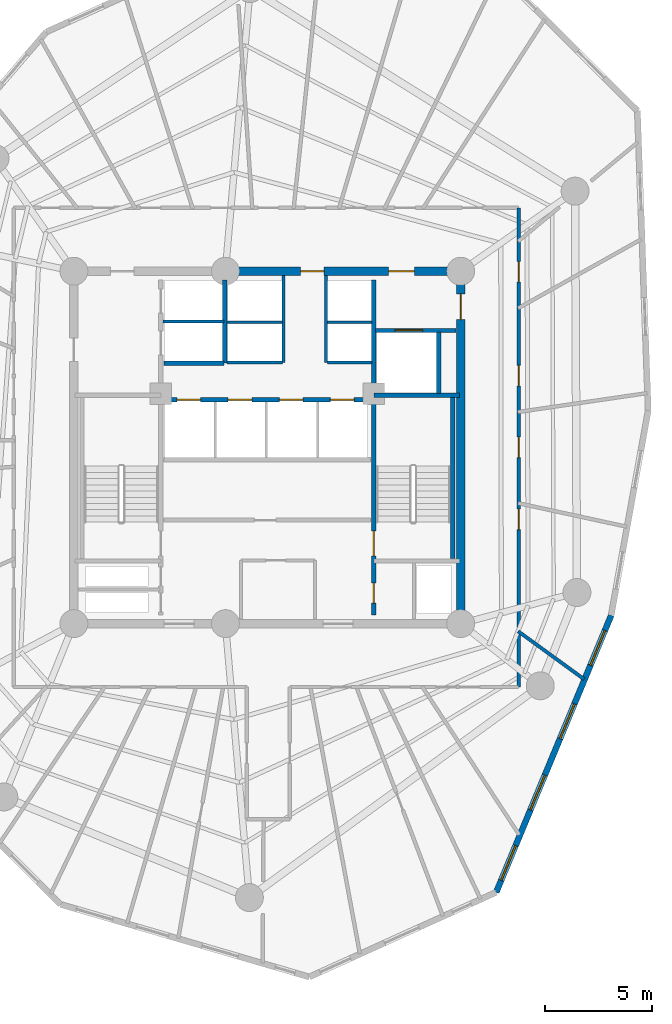
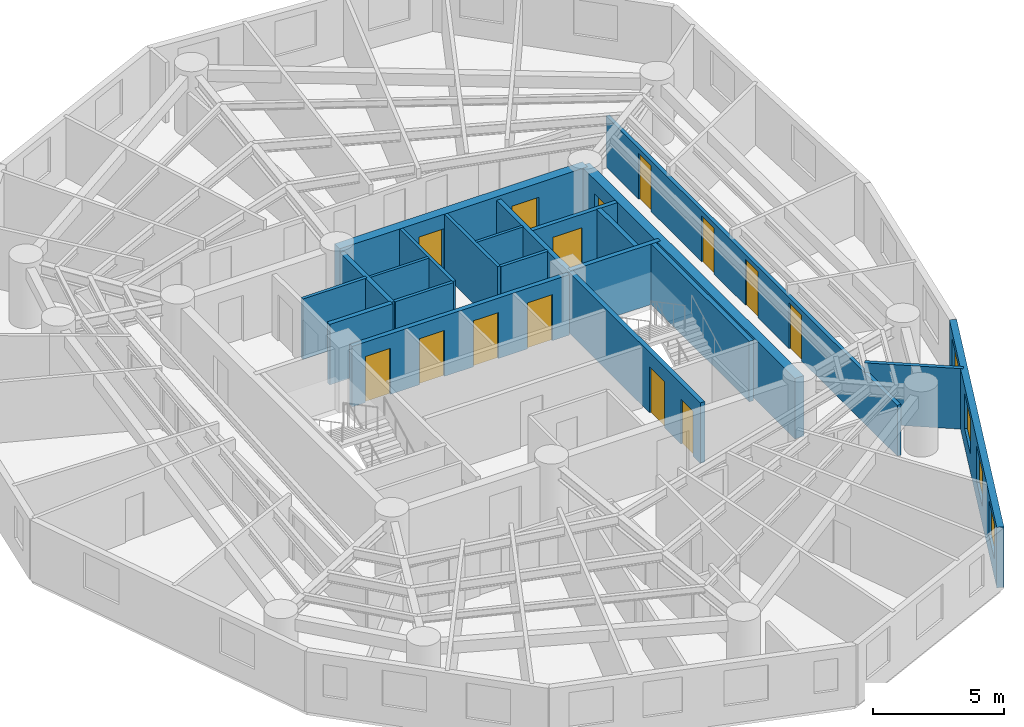
# One storey, part 5 of 8: 20 walls, 14 doors, 4 windows, 18 openings.
"""IFC4 building model written with IfcOpenShell, lengths in metres."""

from ifc_helpers import new_model, si_unit, direction, frame, frame_2d, origin, origin_with_axes, place, context, subcontext, project, spatial, rectangle, extrude, source, transform, mapped, material, layer, layer_set, type_object, element, fill, save


model = new_model("IFC4")

# Units and contexts
model_context = context("Model", 3, precision=1e-05, world=origin(), true_north=direction((0.0, 1.0)))
body_context = subcontext(model_context, "Body", "Model", "MODEL_VIEW")
ifc_project = project(units=[si_unit("LENGTHUNIT", "METRE"), si_unit("AREAUNIT", "SQUARE_METRE"), si_unit("VOLUMEUNIT", "CUBIC_METRE"), si_unit("PLANEANGLEUNIT", "RADIAN"), si_unit("MASSUNIT", "GRAM", prefix="KILO")], contexts=[model_context])

# Site, building, storey
site_placement = place(None, origin())
site = spatial("IfcSite", under=ifc_project, at=site_placement, CompositionType="ELEMENT")
building_placement = place(site_placement, origin())
building = spatial("IfcBuilding", under=site, at=building_placement, Name="Karkom Vertical University and Central Library", CompositionType="ELEMENT")
storey_placement = place(building_placement, frame((0.0, 0.0, 162.64990234375)))
storey = spatial("IfcBuildingStorey", under=building, at=storey_placement, Name="L46", CompositionType="ELEMENT", Elevation=162.64990234375)

# Wall, openings, windows
ifc_material_1 = material(Name="Brick-faced precast concrete C45/55", Category="masonry")
ifc_layer_1 = layer(ifc_material_1, 0.280029296875)
ifc_layer_set_1 = layer_set([ifc_layer_1], Name="Brick-faced precast concrete C45/55")
wall_type_1 = type_object("IfcWallType", Name="ENV-WL-BRK-280", PredefinedType="SOLIDWALL", material=ifc_layer_set_1)
wall_1_placement = place(storey_placement, frame((39.154541015625, 5.79248046875, 0.0), z_axis=(0.0, 0.0, 1.0), x_axis=(0.383396812416, 0.92358371804, 0.0)))
wall_1 = element("IfcWall", 1, at=wall_1_placement, inside=storey, type_object=wall_type_1, Name="Level 46 Brick-Faced Precast Facade Wall 06", PredefinedType="SOLIDWALL", context=body_context, shape_type="SweptSolid", body=[
    extrude(rectangle(XDim=13.95947265625, YDim=0.280029296875, at=frame_2d((6.979736328125, 0.0))), origin(), (0.0, 0.0, 1.0), 2.8251953125),
])
opening_1_placement = place(wall_1_placement, frame((0.60595703125, 0.0, 0.85009765625)))
opening_1 = element("IfcOpeningElement", 2, at=opening_1_placement, cuts=wall_1, Name="Opening WN-08", PredefinedType="OPENING", context=body_context, shape_type="SweptSolid", body=[
    extrude(rectangle(XDim=1.75, YDim=1.64990234375, at=frame_2d((0.875, 0.824951171875))), frame((0.0, 0.14990234375, 0.0), z_axis=(0.0, -1.0, 0.0), x_axis=(1.0, 0.0, 0.0)), (0.0, 0.0, 1.0), 0.300048828125),
])
opening_2_placement = place(wall_1_placement, frame((4.146240234375, 0.0, 0.85009765625)))
opening_2 = element("IfcOpeningElement", 3, at=opening_2_placement, cuts=wall_1, Name="Opening WN-08", PredefinedType="OPENING", context=body_context, shape_type="SweptSolid", body=[
    extrude(rectangle(XDim=1.75, YDim=1.64990234375, at=frame_2d((0.875, 0.824951171875))), frame((0.0, 0.14990234375, 0.0), z_axis=(0.0, -1.0, 0.0), x_axis=(1.0, 0.0, 0.0)), (0.0, 0.0, 1.0), 0.300048828125),
])
opening_3_placement = place(wall_1_placement, frame((7.744873046875, 0.0, 0.85009765625)))
opening_3 = element("IfcOpeningElement", 4, at=opening_3_placement, cuts=wall_1, Name="Opening WN-08", PredefinedType="OPENING", context=body_context, shape_type="SweptSolid", body=[
    extrude(rectangle(XDim=1.75, YDim=1.64990234375, at=frame_2d((0.875, 0.824951171875))), frame((0.0, 0.14990234375, 0.0), z_axis=(0.0, -1.0, 0.0), x_axis=(1.0, 0.0, 0.0)), (0.0, 0.0, 1.0), 0.300048828125),
])
opening_4_placement = place(wall_1_placement, frame((11.4443359375, 0.0, 0.85009765625)))
opening_4 = element("IfcOpeningElement", 5, at=opening_4_placement, cuts=wall_1, Name="Opening WN-08", PredefinedType="OPENING", context=body_context, shape_type="SweptSolid", body=[
    extrude(rectangle(XDim=1.75, YDim=1.64990234375, at=frame_2d((0.875, 0.824951171875))), frame((0.0, 0.14990234375, 0.0), z_axis=(0.0, -1.0, 0.0), x_axis=(1.0, 0.0, 0.0)), (0.0, 0.0, 1.0), 0.300048828125),
])
ifc_material_2 = material(Name="Aluminium thermal-break frame with solar-control IGU", Category="aluminium")
window_type = type_object("IfcWindowType", Name="ENV-WIN-WN-08", PartitioningType="SINGLE_PANEL", PredefinedType="WINDOW", material=ifc_material_2)
shared_shape_1 = source(origin_with_axes(), body_context, "Body", "SweptSolid", [
    extrude(rectangle(XDim=1.75, YDim=1.64990234375, at=frame_2d((0.875, 0.824951171875))), frame((0.0, 0.030029296875, 0.0), z_axis=(0.0, -1.0, 0.0), x_axis=(1.0, 0.0, 0.0)), (0.0, 0.0, 1.0), 0.06005859375),
])
window_1_placement = place(opening_1_placement, origin())
window_1 = element("IfcWindow", 6, at=window_1_placement, inside=storey, type_object=window_type, Name="Level 46 Punched Window 6.1", OverallHeight=1.64990234375, OverallWidth=1.75, PartitioningType="SINGLE_PANEL", PredefinedType="WINDOW", context=body_context, shape_type="MappedRepresentation", body=[
    mapped(shared_shape_1, transform((0.0, 0.0, 0.0), scale=1.0)),
])
fill(opening_1, window_1)
window_2_placement = place(opening_2_placement, origin())
window_2 = element("IfcWindow", 7, at=window_2_placement, inside=storey, type_object=window_type, Name="Level 46 Punched Window 6.2", OverallHeight=1.64990234375, OverallWidth=1.75, PartitioningType="SINGLE_PANEL", PredefinedType="WINDOW", context=body_context, shape_type="MappedRepresentation", body=[
    mapped(shared_shape_1, transform((0.0, 0.0, 0.0), scale=1.0)),
])
fill(opening_2, window_2)
window_3_placement = place(opening_3_placement, origin())
window_3 = element("IfcWindow", 8, at=window_3_placement, inside=storey, type_object=window_type, Name="Level 46 Punched Window 6.3", OverallHeight=1.64990234375, OverallWidth=1.75, PartitioningType="SINGLE_PANEL", PredefinedType="WINDOW", context=body_context, shape_type="MappedRepresentation", body=[
    mapped(shared_shape_1, transform((0.0, 0.0, 0.0), scale=1.0)),
])
fill(opening_3, window_3)
window_4_placement = place(opening_4_placement, origin())
window_4 = element("IfcWindow", 9, at=window_4_placement, inside=storey, type_object=window_type, Name="Level 46 Punched Window 6.4", OverallHeight=1.64990234375, OverallWidth=1.75, PartitioningType="SINGLE_PANEL", PredefinedType="WINDOW", context=body_context, shape_type="MappedRepresentation", body=[
    mapped(shared_shape_1, transform((0.0, 0.0, 0.0), scale=1.0)),
])
fill(opening_4, window_4)

# Wall, openings, doors
ifc_material_3 = material(Name="Insulated metal-stud drywall 160mm", Category="gypsum")
ifc_layer_2 = layer(ifc_material_3, 0.159912109375)
ifc_layer_set_2 = layer_set([ifc_layer_2], Name="Insulated metal-stud drywall 160mm")
wall_type_2 = type_object("IfcWallType", Name="INT-WL-COR-160", PredefinedType="PARTITIONING", material=ifc_layer_set_2)
wall_2_placement = place(storey_placement, frame((40.199951171875, 37.64990234375, 0.0), z_axis=(0.0, 0.0, 1.0), x_axis=(0.0, -1.0, 0.0)))
wall_2 = element("IfcWall", 10, at=wall_2_placement, inside=storey, type_object=wall_type_2, Name="Level 46 Interior Partition Wall L46-CORW-CW-004", PredefinedType="PARTITIONING", context=body_context, shape_type="SweptSolid", body=[
    extrude(rectangle(XDim=22.2998046875, YDim=0.159912109375, at=frame_2d((11.14990234375, 0.0))), origin(), (0.0, 0.0, 1.0), 2.375),
])
opening_5_placement = place(wall_2_placement, frame((14.02001953125, 0.0, 0.0)))
opening_5 = element("IfcOpeningElement", 11, at=opening_5_placement, cuts=wall_2, Name="Opening D-RM1", PredefinedType="OPENING", context=body_context, shape_type="SweptSolid", body=[
    extrude(rectangle(XDim=0.949951171875, YDim=2.14990234375, at=frame_2d((0.47509765625, 1.074951171875))), frame((0.0, 0.08984375, 0.0), z_axis=(0.0, -1.0, 0.0), x_axis=(1.0, 0.0, 0.0)), (0.0, 0.0, 1.0), 0.179931640625),
])
opening_6_placement = place(wall_2_placement, frame((10.675048828125, 0.0, 0.0)))
opening_6 = element("IfcOpeningElement", 12, at=opening_6_placement, cuts=wall_2, Name="Opening D-RM1", PredefinedType="OPENING", context=body_context, shape_type="SweptSolid", body=[
    extrude(rectangle(XDim=0.949951171875, YDim=2.14990234375, at=frame_2d((0.47509765625, 1.074951171875))), frame((0.0, 0.08984375, 0.0), z_axis=(0.0, -1.0, 0.0), x_axis=(1.0, 0.0, 0.0)), (0.0, 0.0, 1.0), 0.179931640625),
])
opening_7_placement = place(wall_2_placement, frame((7.330078125, 0.0, 0.0)))
opening_7 = element("IfcOpeningElement", 13, at=opening_7_placement, cuts=wall_2, Name="Opening D-RM1", PredefinedType="OPENING", context=body_context, shape_type="SweptSolid", body=[
    extrude(rectangle(XDim=0.949951171875, YDim=2.14990234375, at=frame_2d((0.47509765625, 1.074951171875))), frame((0.0, 0.08984375, 0.0), z_axis=(0.0, -1.0, 0.0), x_axis=(1.0, 0.0, 0.0)), (0.0, 0.0, 1.0), 0.179931640625),
])
opening_8_placement = place(wall_2_placement, frame((2.500244140625, 0.0, 0.0)))
opening_8 = element("IfcOpeningElement", 14, at=opening_8_placement, cuts=wall_2, Name="Opening D-RM1", PredefinedType="OPENING", context=body_context, shape_type="SweptSolid", body=[
    extrude(rectangle(XDim=0.949951171875, YDim=2.14990234375, at=frame_2d((0.47509765625, 1.074951171875))), frame((0.0, 0.08984375, 0.0), z_axis=(0.0, -1.0, 0.0), x_axis=(1.0, 0.0, 0.0)), (0.0, 0.0, 1.0), 0.179931640625),
])
ifc_material_4 = material(Name="Solid-core oak veneer door", Category="wood")
door_type_1 = type_object("IfcDoorType", Name="INT-DR-RM1", OperationType="NOTDEFINED", PredefinedType="DOOR", material=ifc_material_4)
shared_shape_2 = source(origin_with_axes(), body_context, "Body", "SweptSolid", [
    extrude(rectangle(XDim=0.949951171875, YDim=2.14990234375, at=frame_2d((0.47509765625, 1.074951171875))), frame((0.0, 0.02490234375, 0.0), z_axis=(0.0, -1.0, 0.0), x_axis=(1.0, 0.0, 0.0)), (0.0, 0.0, 1.0), 0.050048828125),
])
door_1_placement = place(opening_5_placement, origin())
door_1 = element("IfcDoor", 15, at=door_1_placement, inside=storey, type_object=door_type_1, Name="Level 46 Room Entry Door 130", OperationType="SINGLE_SWING_LEFT", OverallHeight=2.14990234375, OverallWidth=0.949951171875, PredefinedType="DOOR", context=body_context, shape_type="MappedRepresentation", body=[
    mapped(shared_shape_2, transform((0.0, 0.0, 0.0), scale=1.0)),
])
fill(opening_5, door_1)
door_2_placement = place(opening_6_placement, origin())
door_2 = element("IfcDoor", 16, at=door_2_placement, inside=storey, type_object=door_type_1, Name="Level 46 Room Entry Door 140", OperationType="SINGLE_SWING_RIGHT", OverallHeight=2.14990234375, OverallWidth=0.949951171875, PredefinedType="DOOR", context=body_context, shape_type="MappedRepresentation", body=[
    mapped(shared_shape_2, transform((0.0, 0.0, 0.0), scale=1.0)),
])
fill(opening_6, door_2)
door_3_placement = place(opening_7_placement, origin())
door_3 = element("IfcDoor", 17, at=door_3_placement, inside=storey, type_object=door_type_1, Name="Level 46 Room Entry Door 150", OperationType="SINGLE_SWING_LEFT", OverallHeight=2.14990234375, OverallWidth=0.949951171875, PredefinedType="DOOR", context=body_context, shape_type="MappedRepresentation", body=[
    mapped(shared_shape_2, transform((0.0, 0.0, 0.0), scale=1.0)),
])
fill(opening_7, door_3)
door_4_placement = place(opening_8_placement, origin())
door_4 = element("IfcDoor", 18, at=door_4_placement, inside=storey, type_object=door_type_1, Name="Level 46 Room Entry Door 160", OperationType="SINGLE_SWING_RIGHT", OverallHeight=2.14990234375, OverallWidth=0.949951171875, PredefinedType="DOOR", context=body_context, shape_type="MappedRepresentation", body=[
    mapped(shared_shape_2, transform((0.0, 0.0, 0.0), scale=1.0)),
])
fill(opening_8, door_4)

# Walls
wall_3_placement = place(storey_placement, frame((40.17578125, 17.94287109375, 0.0), z_axis=(0.0, 0.0, 1.0), x_axis=(0.809022702955, -0.587777395026, 0.0)))
element("IfcWall", 19, at=wall_3_placement, inside=storey, type_object=wall_type_2, Name="Level 46 Interior Partition Wall L46-PW-015", PredefinedType="PARTITIONING", context=body_context, shape_type="SweptSolid", body=[
    extrude(rectangle(XDim=3.792724609375, YDim=0.159912109375, at=frame_2d((1.896484375, 0.0))), origin(), (0.0, 0.0, 1.0), 2.8251953125),
])
ifc_material_5 = material(Name="Moisture-resistant drywall 120mm", Category="gypsum")
ifc_layer_3 = layer(ifc_material_5, 0.1201171875)
ifc_layer_set_3 = layer_set([ifc_layer_3], Name="Moisture-resistant drywall 120mm")
wall_type_3 = type_object("IfcWallType", Name="INT-WL-INT-120H", PredefinedType="PARTITIONING", material=ifc_layer_set_3)
wall_4_placement = place(storey_placement, frame((26.6201171875, 32.320068359375, 0.0), z_axis=(0.0, 0.0, 1.0), x_axis=(1.0, 0.0, 0.0)))
element("IfcWall", 20, at=wall_4_placement, inside=storey, type_object=wall_type_3, Name="Level 46 Interior Partition Wall L46-CW-PH-MW", PredefinedType="PARTITIONING", context=body_context, shape_type="SweptSolid", body=[
    extrude(rectangle(XDim=2.579833984375, YDim=0.1201171875, at=frame_2d((1.2900390625, 0.0))), origin(), (0.0, 0.0, 1.0), 2.8251953125),
])
wall_5_placement = place(storey_placement, frame((31.300048828125, 32.320068359375, 0.0), z_axis=(0.0, 0.0, 1.0), x_axis=(1.0, 0.0, 0.0)))
element("IfcWall", 21, at=wall_5_placement, inside=storey, type_object=wall_type_3, Name="Level 46 Interior Partition Wall L46-CW-PH-ME", PredefinedType="PARTITIONING", context=body_context, shape_type="SweptSolid", body=[
    extrude(rectangle(XDim=2.074951171875, YDim=0.1201171875, at=frame_2d((1.03759765625, 0.0))), origin(), (0.0, 0.0, 1.0), 2.8251953125),
])
ifc_material_6 = material(Name="Metal-stud gypsum partition 140mm", Category="gypsum")
ifc_layer_4 = layer(ifc_material_6, 0.139892578125)
ifc_layer_set_4 = layer_set([ifc_layer_4], Name="Metal-stud gypsum partition 140mm")
wall_type_4 = type_object("IfcWallType", Name="INT-WL-SUB-140H", PredefinedType="PARTITIONING", material=ifc_layer_set_4)
for number, where, z_axis, x_axis, name in (
    (22, (29.260009765625, 30.449951171875, 0.0), (0.0, 0.0, 1.0), (0.0, 1.0, 0.0), "Level 46 Interior Partition Wall L46-CW-PH-W"),
    (23, (31.239990234375, 30.449951171875, 0.0), (0.0, 0.0, 1.0), (0.0, 1.0, 0.0), "Level 46 Interior Partition Wall L46-CW-PH-E"),
):
    element("IfcWall", number, at=place(storey_placement, frame(where, z_axis=z_axis, x_axis=x_axis)), inside=storey, type_object=wall_type_4, Name=name, PredefinedType="PARTITIONING", context=body_context, shape_type="SweptSolid", body=[
        extrude(rectangle(XDim=4.04296875, YDim=0.139892578125, at=frame_2d((2.021484375, 0.0))), origin(), (0.0, 0.0, 1.0), 2.8251953125),
    ])
wall_6_placement = place(storey_placement, frame((26.6201171875, 30.449951171875, 0.0), z_axis=(0.0, 0.0, 1.0), x_axis=(1.0, 0.0, 0.0)))
element("IfcWall", 24, at=wall_6_placement, inside=storey, type_object=wall_type_4, Name="Level 46 Interior Partition Wall L46-CW-PH-S1", PredefinedType="PARTITIONING", context=body_context, shape_type="SweptSolid", body=[
    extrude(rectangle(XDim=2.579833984375, YDim=0.139892578125, at=frame_2d((1.2900390625, 0.0))), origin(), (0.0, 0.0, 1.0), 2.8251953125),
])
wall_7_placement = place(storey_placement, frame((31.300048828125, 30.449951171875, 0.0), z_axis=(0.0, 0.0, 1.0), x_axis=(1.0, 0.0, 0.0)))
element("IfcWall", 25, at=wall_7_placement, inside=storey, type_object=wall_type_4, Name="Level 46 Interior Partition Wall L46-CW-PH-S2", PredefinedType="PARTITIONING", context=body_context, shape_type="SweptSolid", body=[
    extrude(rectangle(XDim=2.074951171875, YDim=0.139892578125, at=frame_2d((1.03759765625, 0.0))), origin(), (0.0, 0.0, 1.0), 2.8251953125),
])
ifc_layer_5 = layer(ifc_material_6, 0.139892578125)
ifc_layer_set_5 = layer_set([ifc_layer_5], Name="Metal-stud gypsum partition 140mm")
wall_type_5 = type_object("IfcWallType", Name="INT-WL-SUB-140X", PredefinedType="PARTITIONING", material=ifc_layer_set_5)
wall_8_placement = place(storey_placement, frame((23.652099609375, 32.3701171875, 0.0), z_axis=(0.0, 0.0, 1.0), x_axis=(1.0, 0.0, 0.0)))
element("IfcWall", 26, at=wall_8_placement, inside=storey, type_object=wall_type_5, Name="Level 46 Interior Partition Wall L46-CW-FFL-M", PredefinedType="PARTITIONING", context=body_context, shape_type="SweptSolid", body=[
    extrude(rectangle(XDim=2.827880859375, YDim=0.139892578125, at=frame_2d((1.4140625, 0.0))), origin(), (0.0, 0.0, 1.0), 2.8251953125),
])

# Wall, opening, door
ifc_material_7 = material(Name="Twin-stud acoustic drywall 180mm", Category="gypsum")
ifc_layer_6 = layer(ifc_material_7, 0.179931640625)
ifc_layer_set_6 = layer_set([ifc_layer_6], Name="Twin-stud acoustic drywall 180mm")
wall_type_6 = type_object("IfcWallType", Name="INT-WL-TEN-180F", PredefinedType="PARTITIONING", material=ifc_layer_set_6)
wall_9_placement = place(storey_placement, frame((33.534912109375, 31.949951171875, 0.0), z_axis=(0.0, 0.0, 1.0), x_axis=(1.0, 0.0, 0.0)))
wall_9 = element("IfcWall", 27, at=wall_9_placement, inside=storey, type_object=wall_type_6, Name="Level 46 Interior Partition Wall L46-CW-SVL-N", PredefinedType="PARTITIONING", context=body_context, shape_type="SweptSolid", body=[
    extrude(rectangle(XDim=3.7587890625, YDim=0.179931640625, at=frame_2d((1.87939453125, 0.0))), origin(), (0.0, 0.0, 1.0), 2.8251953125),
])
opening_9_placement = place(wall_9_placement, frame((0.89990234375, 0.0, 0.0)))
opening_9 = element("IfcOpeningElement", 28, at=opening_9_placement, cuts=wall_9, Name="Opening LD-SV1", PredefinedType="OPENING", context=body_context, shape_type="SweptSolid", body=[
    extrude(rectangle(XDim=1.300048828125, YDim=2.199951171875, at=frame_2d((0.64990234375, 1.10009765625))), frame((0.0, 0.10009765625, 0.0), z_axis=(0.0, -1.0, 0.0), x_axis=(1.0, 0.0, 0.0)), (0.0, 0.0, 1.0), 0.199951171875),
])
ifc_material_8 = material(Name="Brushed stainless-steel landing door", Category="steel")
door_type_2 = type_object("IfcDoorType", Name="INT-DR-LD-SV1", OperationType="SLIDING_TO_LEFT", PredefinedType="DOOR", material=ifc_material_8)
shared_shape_3 = source(origin_with_axes(), body_context, "Body", "SweptSolid", [
    extrude(rectangle(XDim=1.300048828125, YDim=2.199951171875, at=frame_2d((0.64990234375, 1.10009765625))), frame((0.0, 0.02490234375, 0.0), z_axis=(0.0, -1.0, 0.0), x_axis=(1.0, 0.0, 0.0)), (0.0, 0.0, 1.0), 0.050048828125),
])
door_5_placement = place(opening_9_placement, origin())
door_5 = element("IfcDoor", 29, at=door_5_placement, inside=storey, type_object=door_type_2, Name="Level 46 Service Lift Landing Door LD-SV1", OperationType="SLIDING_TO_LEFT", OverallHeight=2.199951171875, OverallWidth=1.300048828125, PredefinedType="DOOR", context=body_context, shape_type="MappedRepresentation", body=[
    mapped(shared_shape_3, transform((0.0, 0.0, 0.0), scale=1.0)),
])
fill(opening_9, door_5)

ifc_material_9 = material(Name="Concrete C50/60", Category="concrete")
ifc_layer_7 = layer(ifc_material_9, 0.39990234375)
ifc_layer_set_7 = layer_set([ifc_layer_7], Name="Concrete C50/60")
wall_type_7 = type_object("IfcWallType", Name="STR-WL-CW-400", PredefinedType="SHEAR", material=ifc_layer_set_7)
wall_10_placement = place(storey_placement, frame((37.5, 18.300048828125, 0.0), z_axis=(0.0, 0.0, 1.0), x_axis=(0.0, 1.0, 0.0)))
wall_10 = element("IfcWall", 30, at=wall_10_placement, inside=storey, type_object=wall_type_7, Name="Level 46 Central Core Shear Wall EW", PredefinedType="SHEAR", context=body_context, shape_type="SweptSolid", body=[
    extrude(rectangle(XDim=16.39990234375, YDim=0.39990234375, at=frame_2d((8.199951171875, 0.0))), origin(), (0.0, 0.0, 1.0), 2.8251953125),
])
opening_10_placement = place(wall_10_placement, frame((14.14990234375, 0.0, 0.0)))
opening_10 = element("IfcOpeningElement", 31, at=opening_10_placement, cuts=wall_10, Name="Opening FD-SUB1", PredefinedType="OPENING", context=body_context, shape_type="SweptSolid", body=[
    extrude(rectangle(XDim=1.199951171875, YDim=2.14990234375, at=frame_2d((0.60009765625, 1.074951171875))), frame((0.0, 0.2099609375, 0.0), z_axis=(0.0, -1.0, 0.0), x_axis=(1.0, 0.0, 0.0)), (0.0, 0.0, 1.0), 0.419921875),
])
ifc_material_10 = material(Name="Painted steel fire door", Category="steel")
door_type_3 = type_object("IfcDoorType", Name="INT-DR-SUB1", OperationType="NOTDEFINED", PredefinedType="DOOR", material=ifc_material_10)
shared_shape_4 = source(origin_with_axes(), body_context, "Body", "SweptSolid", [
    extrude(rectangle(XDim=1.199951171875, YDim=2.14990234375, at=frame_2d((0.60009765625, 1.074951171875))), frame((0.0, 0.02490234375, 0.0), z_axis=(0.0, -1.0, 0.0), x_axis=(1.0, 0.0, 0.0)), (0.0, 0.0, 1.0), 0.050048828125),
])
door_6_placement = place(opening_10_placement, origin())
door_6 = element("IfcDoor", 32, at=door_6_placement, inside=storey, type_object=door_type_3, Name="Level 46 East Corridor Service Lobby Door", OperationType="SINGLE_SWING_LEFT", OverallHeight=2.14990234375, OverallWidth=1.199951171875, PredefinedType="DOOR", context=body_context, shape_type="MappedRepresentation", body=[
    mapped(shared_shape_4, transform((0.0, 0.0, 0.0), scale=1.0)),
])
fill(opening_10, door_6)

# Wall, openings, doors
wall_11_placement = place(storey_placement, frame((37.5, 34.699951171875, 0.0), z_axis=(0.0, 0.0, 1.0), x_axis=(-1.0, 0.0, 0.0)))
wall_11 = element("IfcWall", 33, at=wall_11_placement, inside=storey, type_object=wall_type_7, Name="Level 46 Central Core Shear Wall NW1", PredefinedType="SHEAR", context=body_context, shape_type="SweptSolid", body=[
    extrude(rectangle(XDim=10.949951171875, YDim=0.39990234375, at=frame_2d((5.47509765625, 0.0))), origin(), (0.0, 0.0, 1.0), 2.8251953125),
])
opening_11_placement = place(wall_11_placement, frame((2.14990234375, 0.0, 0.0)))
opening_11 = element("IfcOpeningElement", 34, at=opening_11_placement, cuts=wall_11, Name="Opening FD-SUB1", PredefinedType="OPENING", context=body_context, shape_type="SweptSolid", body=[
    extrude(rectangle(XDim=1.199951171875, YDim=2.14990234375, at=frame_2d((0.60009765625, 1.074951171875))), frame((0.0, 0.2099609375, 0.0), z_axis=(0.0, -1.0, 0.0), x_axis=(1.0, 0.0, 0.0)), (0.0, 0.0, 1.0), 0.419921875),
])
opening_12_placement = place(wall_11_placement, frame((6.35009765625, 0.0, 0.0)))
opening_12 = element("IfcOpeningElement", 35, at=opening_12_placement, cuts=wall_11, Name="Opening FD-FFL", PredefinedType="OPENING", context=body_context, shape_type="SweptSolid", body=[
    extrude(rectangle(XDim=1.10009765625, YDim=2.14990234375, at=frame_2d((0.550048828125, 1.074951171875))), frame((0.0, 0.2099609375, 0.0), z_axis=(0.0, -1.0, 0.0), x_axis=(1.0, 0.0, 0.0)), (0.0, 0.0, 1.0), 0.419921875),
])
ifc_material_11 = material(Name="Painted steel smoke-seal fire door", Category="steel")
door_type_4 = type_object("IfcDoorType", Name="INT-DR-FFL", OperationType="NOTDEFINED", PredefinedType="DOOR", material=ifc_material_11)
shared_shape_5 = source(origin_with_axes(), body_context, "Body", "SweptSolid", [
    extrude(rectangle(XDim=1.10009765625, YDim=2.14990234375, at=frame_2d((0.550048828125, 1.074951171875))), frame((0.0, 0.02490234375, 0.0), z_axis=(0.0, -1.0, 0.0), x_axis=(1.0, 0.0, 0.0)), (0.0, 0.0, 1.0), 0.050048828125),
])
door_7_placement = place(opening_12_placement, origin())
door_7 = element("IfcDoor", 36, at=door_7_placement, inside=storey, type_object=door_type_4, Name="Level 46 North Core Lobby Exit Door", OperationType="SINGLE_SWING_RIGHT", OverallHeight=2.14990234375, OverallWidth=1.10009765625, PredefinedType="DOOR", context=body_context, shape_type="MappedRepresentation", body=[
    mapped(shared_shape_5, transform((0.0, 0.0, 0.0), scale=1.0)),
])
fill(opening_12, door_7)
door_8_placement = place(opening_11_placement, origin())
door_8 = element("IfcDoor", 37, at=door_8_placement, inside=storey, type_object=door_type_3, Name="Level 46 Service Lobby Fire Door", OperationType="SINGLE_SWING_RIGHT", OverallHeight=2.14990234375, OverallWidth=1.199951171875, PredefinedType="DOOR", context=body_context, shape_type="MappedRepresentation", body=[
    mapped(shared_shape_4, transform((0.0, 0.0, 0.0), scale=1.0)),
])
fill(opening_11, door_8)

ifc_material_12 = material(Name="Concrete C45/55", Category="concrete")
ifc_layer_8 = layer(ifc_material_12, 0.199951171875)
ifc_layer_set_8 = layer_set([ifc_layer_8], Name="Concrete C45/55")
wall_type_8 = type_object("IfcWallType", Name="STR-WL-ST-200", PredefinedType="SHEAR", material=ifc_layer_set_8)
wall_12_placement = place(storey_placement, frame((33.455078125, 18.699951171875, 0.0), z_axis=(0.0, 0.0, 1.0), x_axis=(0.0, 1.0, 0.0)))
wall_12 = element("IfcWall", 38, at=wall_12_placement, inside=storey, type_object=wall_type_8, Name="Level 46 Core Shaft Wall L46-CW-ST2-W", PredefinedType="SHEAR", context=body_context, shape_type="SweptSolid", body=[
    extrude(rectangle(XDim=15.60009765625, YDim=0.199951171875, at=frame_2d((7.800048828125, 0.0))), origin(), (0.0, 0.0, 1.0), 2.8251953125),
])
opening_13_placement = place(wall_12_placement, frame((2.75, 0.0, 0.0)))
opening_13 = element("IfcOpeningElement", 39, at=opening_13_placement, cuts=wall_12, Name="Opening FD-ST1", PredefinedType="OPENING", context=body_context, shape_type="SweptSolid", body=[
    extrude(rectangle(XDim=1.14990234375, YDim=2.14990234375, at=frame_2d((0.574951171875, 1.074951171875))), frame((0.0, 0.10986328125, 0.0), z_axis=(0.0, -1.0, 0.0), x_axis=(1.0, 0.0, 0.0)), (0.0, 0.0, 1.0), 0.219970703125),
])
opening_14_placement = place(wall_12_placement, frame((0.550048828125, 0.0, 0.0)))
opening_14 = element("IfcOpeningElement", 40, at=opening_14_placement, cuts=wall_12, Name="Opening D-WC1", PredefinedType="OPENING", context=body_context, shape_type="SweptSolid", body=[
    extrude(rectangle(XDim=0.93994140625, YDim=2.10009765625, at=frame_2d((0.469970703125, 1.050048828125))), frame((0.0, 0.10986328125, 0.0), z_axis=(0.0, -1.0, 0.0), x_axis=(1.0, 0.0, 0.0)), (0.0, 0.0, 1.0), 0.219970703125),
])
ifc_material_13 = material(Name="Painted steel acoustic fire door", Category="steel")
door_type_5 = type_object("IfcDoorType", Name="INT-DR-ST1", OperationType="NOTDEFINED", PredefinedType="DOOR", material=ifc_material_13)
shared_shape_6 = source(origin_with_axes(), body_context, "Body", "SweptSolid", [
    extrude(rectangle(XDim=1.14990234375, YDim=2.14990234375, at=frame_2d((0.574951171875, 1.074951171875))), frame((0.0, 0.02490234375, 0.0), z_axis=(0.0, -1.0, 0.0), x_axis=(1.0, 0.0, 0.0)), (0.0, 0.0, 1.0), 0.050048828125),
])
door_9_placement = place(opening_13_placement, origin())
door_9 = element("IfcDoor", 41, at=door_9_placement, inside=storey, type_object=door_type_5, Name="Level 46 Stair ST-2 Fire Door", OperationType="SINGLE_SWING_RIGHT", OverallHeight=2.14990234375, OverallWidth=1.14990234375, PredefinedType="DOOR", context=body_context, shape_type="MappedRepresentation", body=[
    mapped(shared_shape_6, transform((0.0, 0.0, 0.0), scale=1.0)),
])
fill(opening_13, door_9)
ifc_material_14 = material(Name="Fire-rated laminate moisture-resistant door", Category="wood")
door_type_6 = type_object("IfcDoorType", Name="INT-DR-WC1", OperationType="NOTDEFINED", PredefinedType="DOOR", material=ifc_material_14)
shared_shape_7 = source(origin_with_axes(), body_context, "Body", "SweptSolid", [
    extrude(rectangle(XDim=0.93994140625, YDim=2.10009765625, at=frame_2d((0.469970703125, 1.050048828125))), frame((0.0, 0.02490234375, 0.0), z_axis=(0.0, -1.0, 0.0), x_axis=(1.0, 0.0, 0.0)), (0.0, 0.0, 1.0), 0.050048828125),
])
door_10_placement = place(opening_14_placement, origin())
door_10 = element("IfcDoor", 42, at=door_10_placement, inside=storey, type_object=door_type_6, Name="Level 46 Accessible WC Door", OperationType="SINGLE_SWING_LEFT", OverallHeight=2.10009765625, OverallWidth=0.93994140625, PredefinedType="DOOR", context=body_context, shape_type="MappedRepresentation", body=[
    mapped(shared_shape_7, transform((0.0, 0.0, 0.0), scale=1.0)),
])
fill(opening_14, door_10)

wall_13_placement = place(storey_placement, frame((23.699951171875, 28.719970703125, 0.0), z_axis=(0.0, 0.0, 1.0), x_axis=(1.0, 0.0, 0.0)))
wall_13 = element("IfcWall", 43, at=wall_13_placement, inside=storey, type_object=wall_type_8, Name="Level 46 Core Shaft Wall L46-CW-B2-N", PredefinedType="SHEAR", context=body_context, shape_type="SweptSolid", body=[
    extrude(rectangle(XDim=9.60009765625, YDim=0.199951171875, at=frame_2d((4.800048828125, 0.0))), origin(), (0.0, 0.0, 1.0), 2.8251953125),
])
opening_15_placement = place(wall_13_placement, frame((0.60009765625, 0.0, 0.0)))
opening_15 = element("IfcOpeningElement", 44, at=opening_15_placement, cuts=wall_13, Name="Opening LD-PAX", PredefinedType="OPENING", context=body_context, shape_type="SweptSolid", body=[
    extrude(rectangle(XDim=1.10009765625, YDim=2.14990234375, at=frame_2d((0.550048828125, 1.074951171875))), frame((0.0, 0.10986328125, 0.0), z_axis=(0.0, -1.0, 0.0), x_axis=(1.0, 0.0, 0.0)), (0.0, 0.0, 1.0), 0.219970703125),
])
opening_16_placement = place(wall_13_placement, frame((2.97998046875, 0.0, 0.0)))
opening_16 = element("IfcOpeningElement", 45, at=opening_16_placement, cuts=wall_13, Name="Opening LD-PAX", PredefinedType="OPENING", context=body_context, shape_type="SweptSolid", body=[
    extrude(rectangle(XDim=1.10009765625, YDim=2.14990234375, at=frame_2d((0.550048828125, 1.074951171875))), frame((0.0, 0.10986328125, 0.0), z_axis=(0.0, -1.0, 0.0), x_axis=(1.0, 0.0, 0.0)), (0.0, 0.0, 1.0), 0.219970703125),
])
opening_17_placement = place(wall_13_placement, frame((5.360107421875, 0.0, 0.0)))
opening_17 = element("IfcOpeningElement", 46, at=opening_17_placement, cuts=wall_13, Name="Opening LD-PAX", PredefinedType="OPENING", context=body_context, shape_type="SweptSolid", body=[
    extrude(rectangle(XDim=1.10009765625, YDim=2.14990234375, at=frame_2d((0.550048828125, 1.074951171875))), frame((0.0, 0.10986328125, 0.0), z_axis=(0.0, -1.0, 0.0), x_axis=(1.0, 0.0, 0.0)), (0.0, 0.0, 1.0), 0.219970703125),
])
opening_18_placement = place(wall_13_placement, frame((7.739990234375, 0.0, 0.0)))
opening_18 = element("IfcOpeningElement", 47, at=opening_18_placement, cuts=wall_13, Name="Opening LD-PAX", PredefinedType="OPENING", context=body_context, shape_type="SweptSolid", body=[
    extrude(rectangle(XDim=1.10009765625, YDim=2.14990234375, at=frame_2d((0.550048828125, 1.074951171875))), frame((0.0, 0.10986328125, 0.0), z_axis=(0.0, -1.0, 0.0), x_axis=(1.0, 0.0, 0.0)), (0.0, 0.0, 1.0), 0.219970703125),
])
door_type_7 = type_object("IfcDoorType", Name="INT-DR-LD-PAX", OperationType="SLIDING_TO_LEFT", PredefinedType="DOOR", material=ifc_material_8)
door_11_placement = place(opening_15_placement, origin())
door_11 = element("IfcDoor", 48, at=door_11_placement, inside=storey, type_object=door_type_7, Name="Level 46 Lift PM-1 Landing Door", OperationType="SLIDING_TO_LEFT", OverallHeight=2.14990234375, OverallWidth=1.10009765625, PredefinedType="DOOR", context=body_context, shape_type="MappedRepresentation", body=[
    mapped(shared_shape_5, transform((0.0, 0.0, 0.0), scale=1.0)),
])
fill(opening_15, door_11)
door_12_placement = place(opening_16_placement, origin())
door_12 = element("IfcDoor", 49, at=door_12_placement, inside=storey, type_object=door_type_7, Name="Level 46 Lift PM-2 Landing Door", OperationType="SLIDING_TO_RIGHT", OverallHeight=2.14990234375, OverallWidth=1.10009765625, PredefinedType="DOOR", context=body_context, shape_type="MappedRepresentation", body=[
    mapped(shared_shape_5, transform((0.0, 0.0, 0.0), scale=1.0)),
])
fill(opening_16, door_12)
door_13_placement = place(opening_17_placement, origin())
door_13 = element("IfcDoor", 50, at=door_13_placement, inside=storey, type_object=door_type_7, Name="Level 46 Lift PM-3 Landing Door", OperationType="SLIDING_TO_LEFT", OverallHeight=2.14990234375, OverallWidth=1.10009765625, PredefinedType="DOOR", context=body_context, shape_type="MappedRepresentation", body=[
    mapped(shared_shape_5, transform((0.0, 0.0, 0.0), scale=1.0)),
])
fill(opening_17, door_13)
door_14_placement = place(opening_18_placement, origin())
door_14 = element("IfcDoor", 51, at=door_14_placement, inside=storey, type_object=door_type_7, Name="Level 46 Lift PM-4 Landing Door", OperationType="SLIDING_TO_RIGHT", OverallHeight=2.14990234375, OverallWidth=1.10009765625, PredefinedType="DOOR", context=body_context, shape_type="MappedRepresentation", body=[
    mapped(shared_shape_5, transform((0.0, 0.0, 0.0), scale=1.0)),
])
fill(opening_18, door_14)

# Walls
wall_14_placement = place(storey_placement, frame((37.125, 21.320068359375, 0.0), z_axis=(0.0, 0.0, 1.0), x_axis=(0.0, 1.0, 0.0)))
element("IfcWall", 52, at=wall_14_placement, inside=storey, type_object=wall_type_8, Name="Level 46 Core Shaft Wall L46-CW-ST2-E", PredefinedType="SHEAR", context=body_context, shape_type="SweptSolid", body=[
    extrude(rectangle(XDim=7.5, YDim=0.199951171875, at=frame_2d((3.75, 0.0))), origin(), (0.0, 0.0, 1.0), 2.8251953125),
])
wall_15_placement = place(storey_placement, frame((33.455078125, 28.925048828125, 0.0), z_axis=(0.0, 0.0, 1.0), x_axis=(1.0, 0.0, 0.0)))
element("IfcWall", 53, at=wall_15_placement, inside=storey, type_object=wall_type_8, Name="Level 46 Core Shaft Wall L46-CW-ST2-N", PredefinedType="SHEAR", context=body_context, shape_type="SweptSolid", body=[
    extrude(rectangle(XDim=3.994873046875, YDim=0.199951171875, at=frame_2d((1.99755859375, 0.0))), origin(), (0.0, 0.0, 1.0), 2.8251953125),
])
wall_16_placement = place(storey_placement, frame((26.52001953125, 30.419921875, 0.0), z_axis=(0.0, 0.0, 1.0), x_axis=(0.0, 1.0, 0.0)))
element("IfcWall", 54, at=wall_16_placement, inside=storey, type_object=wall_type_8, Name="Level 46 Core Shaft Wall L46-CW-FFL-E", PredefinedType="SHEAR", context=body_context, shape_type="SweptSolid", body=[
    extrude(rectangle(XDim=3.860107421875, YDim=0.199951171875, at=frame_2d((1.93017578125, 0.0))), origin(), (0.0, 0.0, 1.0), 2.8251953125),
])
wall_17_placement = place(storey_placement, frame((36.47998046875, 29.02001953125, 0.0), z_axis=(0.0, 0.0, 1.0), x_axis=(0.0, 1.0, 0.0)))
element("IfcWall", 55, at=wall_17_placement, inside=storey, type_object=wall_type_8, Name="Level 46 Core Shaft Wall L46-CW-SVL-E", PredefinedType="SHEAR", context=body_context, shape_type="SweptSolid", body=[
    extrude(rectangle(XDim=2.85986328125, YDim=0.199951171875, at=frame_2d((1.429931640625, 0.0))), origin(), (0.0, 0.0, 1.0), 2.8251953125),
])
wall_18_placement = place(storey_placement, frame((23.699951171875, 30.419921875, 0.0), z_axis=(0.0, 0.0, 1.0), x_axis=(1.0, 0.0, 0.0)))
element("IfcWall", 56, at=wall_18_placement, inside=storey, type_object=wall_type_8, Name="Level 46 Core Shaft Wall L46-CW-FFL-S", PredefinedType="SHEAR", context=body_context, shape_type="SweptSolid", body=[
    extrude(rectangle(XDim=2.780029296875, YDim=0.199951171875, at=frame_2d((1.39013671875, 0.0))), origin(), (0.0, 0.0, 1.0), 2.8251953125),
])

save(model, "model.ifc")
